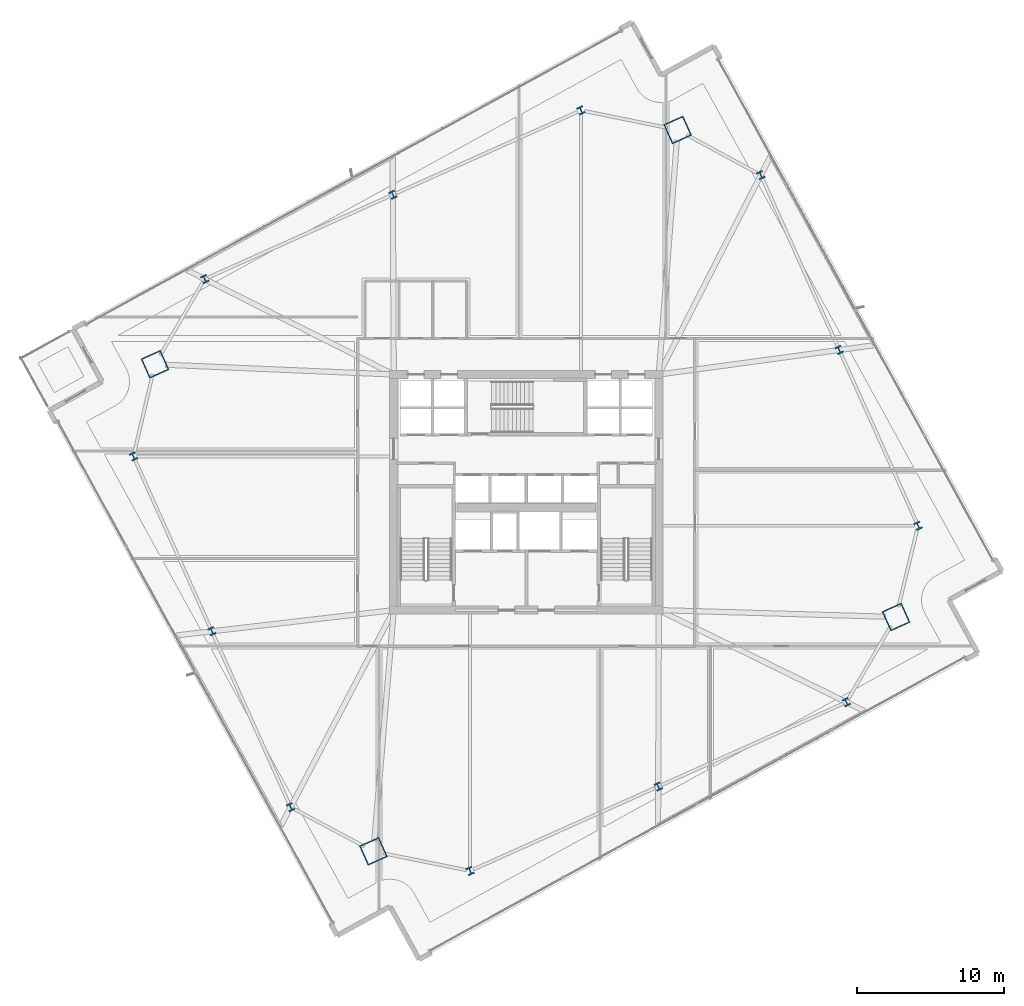
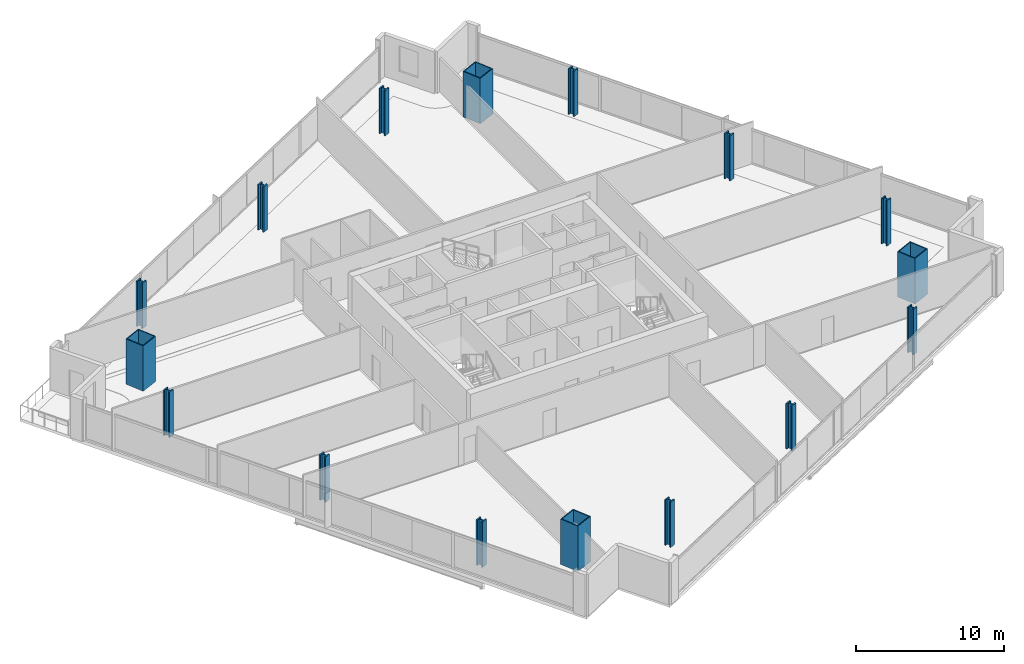
# One storey, part 1 of 33: 16 columns.
"""IFC4 building model written with IfcOpenShell, lengths in metres."""

from ifc_helpers import new_model, si_unit, direction, frame, origin, origin_2d, place, context, subcontext, project, spatial, hollow_rectangle, i_section, extrude, material, material_profile, profile_set, type_object, element, save


model = new_model("IFC4")

# Units and contexts
model_context = context("Model", 3, precision=1e-05, world=origin(), true_north=direction((0.0, 1.0)))
body_context = subcontext(model_context, "Body", "Model", "MODEL_VIEW")
ifc_project = project(units=[si_unit("LENGTHUNIT", "METRE"), si_unit("AREAUNIT", "SQUARE_METRE"), si_unit("VOLUMEUNIT", "CUBIC_METRE"), si_unit("PLANEANGLEUNIT", "RADIAN"), si_unit("MASSUNIT", "GRAM", prefix="KILO")], contexts=[model_context])

# Site, building, storey
site_placement = place(None, origin())
site = spatial("IfcSite", under=ifc_project, at=site_placement, CompositionType="ELEMENT")
building_placement = place(site_placement, origin())
building = spatial("IfcBuilding", under=site, at=building_placement, Name="Haldenkirk Collegiate Tower", CompositionType="ELEMENT")
storey_placement = place(building_placement, frame((0.0, 0.0, 124.199951171875)))
storey = spatial("IfcBuildingStorey", under=building, at=storey_placement, Name="L30", CompositionType="ELEMENT", Elevation=124.199951171875)

# Columns
ifc_material_1 = material(Name="Steel ASTM A913 Grade 65", Category="steel")
ifc_material_profile_1 = material_profile(ifc_material_1, i_section(OverallWidth=0.44189453125, OverallDepth=0.531005859375, WebThickness=0.06591796875, FlangeThickness=0.105712890625, at=origin_2d()), Name="W14X605")
ifc_profile_set_1 = profile_set([ifc_material_profile_1], Name="Steel ASTM A913 Grade 65")
column_type_1 = type_object("IfcColumnType", Name="COL-INT-W14X605", PredefinedType="COLUMN", material=ifc_profile_set_1)
for number, where, z_axis, x_axis, name in (
    (1, (32.181396484375, 0.287353515625, 0.0), (0.0, 0.0, 1.0), (0.912477494148, 0.409126902895, 0.0), "L30 perimeter gravity column PC-S1"),
    (2, (44.9599609375, 6.0166015625, 0.0), (0.0, 0.0, 1.0), (0.912477494148, 0.409126902895, 0.0), "L30 perimeter gravity column PC-S2"),
    (3, (57.73828125, 11.74609375, 0.0), (0.0, 0.0, 1.0), (0.912477494148, 0.409126902895, 0.0), "L30 perimeter gravity column PC-S3"),
    (4, (62.608642578125, 23.727294921875, 0.0), (0.0, 0.0, 1.0), (0.912477494148, 0.409126902895, 0.0), "L30 perimeter gravity column PC-E1"),
    (5, (57.255126953125, 35.667236328125, 0.0), (0.0, 0.0, 1.0), (0.912477494148, 0.409126902895, 0.0), "L30 perimeter gravity column PC-E2"),
    (6, (51.930419921875, 47.543212890625, 0.0), (0.0, 0.0, 1.0), (0.912477494148, 0.409126902895, 0.0), "L30 perimeter gravity column PC-E3"),
    (7, (39.71630859375, 51.94091796875, 0.0), (0.0, 0.0, 1.0), (0.912477494148, 0.409126902895, 0.0), "L30 perimeter gravity column PC-N1"),
    (8, (26.937744140625, 46.21142578125, 0.0), (0.0, 0.0, 1.0), (0.912477494148, 0.409126902895, 0.0), "L30 perimeter gravity column PC-N2"),
    (9, (14.159423828125, 40.48193359375, 0.0), (0.0, 0.0, 1.0), (0.912477494148, 0.409126902895, 0.0), "L30 perimeter gravity column PC-N3"),
    (10, (9.317626953125, 28.436767578125, 0.0), (0.0, 0.0, 1.0), (0.912477494148, 0.409126902895, 0.0), "L30 perimeter gravity column PC-W1"),
    (11, (14.642578125, 16.560791015625, 0.0), (0.0, 0.0, 1.0), (0.912477494148, 0.409126902895, 0.0), "L30 perimeter gravity column PC-W2"),
    (12, (19.995849609375, 4.62109375, 0.0), (0.0, 0.0, 1.0), (0.912477494148, 0.409126902895, 0.0), "L30 perimeter gravity column PC-W3"),
):
    element("IfcColumn", number, at=place(storey_placement, frame(where, z_axis=z_axis, x_axis=x_axis)), inside=storey, type_object=column_type_1, Name=name, PredefinedType="COLUMN", context=body_context, shape_type="SweptSolid", body=[
        extrude(i_section(OverallWidth=0.44189453125, OverallDepth=0.531005859375, WebThickness=0.06591796875, FlangeThickness=0.105712890625, at=origin_2d()), origin(), (0.0, 0.0, 1.0), 3.75),
    ])
ifc_material_2 = material(Name="Steel ASTM A572 Grade 50", Category="steel")
ifc_material_profile_2 = material_profile(ifc_material_2, hollow_rectangle(XDim=1.449951171875, YDim=1.449951171875, WallThickness=0.070068359375, at=origin_2d()), Name="BOX1450X1450X70")
ifc_profile_set_2 = profile_set([ifc_material_profile_2], Name="Steel ASTM A572 Grade 50")
column_type_2 = type_object("IfcColumnType", Name="COL-MEGA-BOX1450X1450X70", PredefinedType="COLUMN", material=ifc_profile_set_2)
for number, where, z_axis, x_axis, name in (
    (13, (25.61669921875, 1.617919921875, 0.0), (0.0, 0.0, 1.0), (0.912477494148, 0.409126902895, 0.0), "L30 corner mega-column MC1"),
    (14, (61.112060546875, 17.532958984375, 0.0), (0.0, 0.0, 1.0), (0.912477494148, 0.409126902895, 0.0), "L30 corner mega-column MC2"),
    (15, (46.281005859375, 50.610107421875, 0.0), (0.0, 0.0, 1.0), (0.912477494148, 0.409126902895, 0.0), "L30 corner mega-column MC3"),
    (16, (10.78564453125, 34.6953125, 0.0), (0.0, 0.0, 1.0), (0.912477494148, 0.409126902895, 0.0), "L30 corner mega-column MC4"),
):
    element("IfcColumn", number, at=place(storey_placement, frame(where, z_axis=z_axis, x_axis=x_axis)), inside=storey, type_object=column_type_2, Name=name, PredefinedType="COLUMN", context=body_context, shape_type="SweptSolid", body=[
        extrude(hollow_rectangle(XDim=1.449951171875, YDim=1.449951171875, WallThickness=0.070068359375, at=origin_2d()), origin(), (0.0, 0.0, 1.0), 3.75),
    ])

save(model, "model.ifc")
